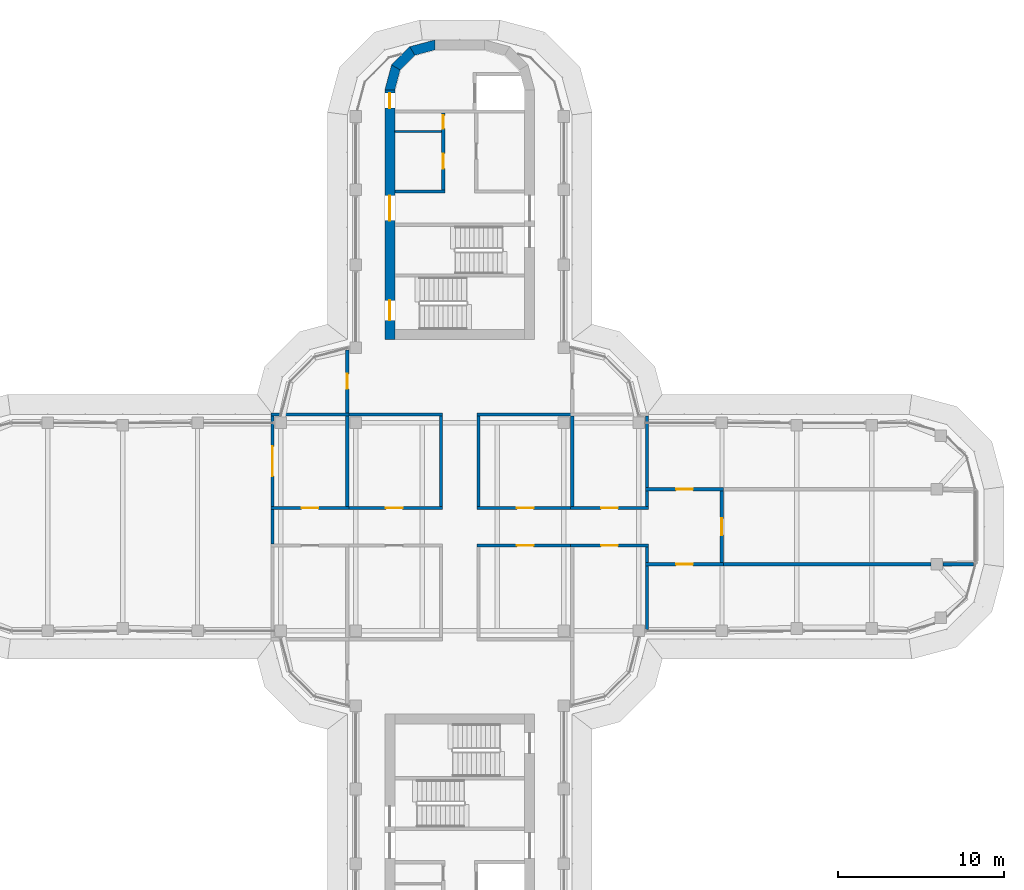
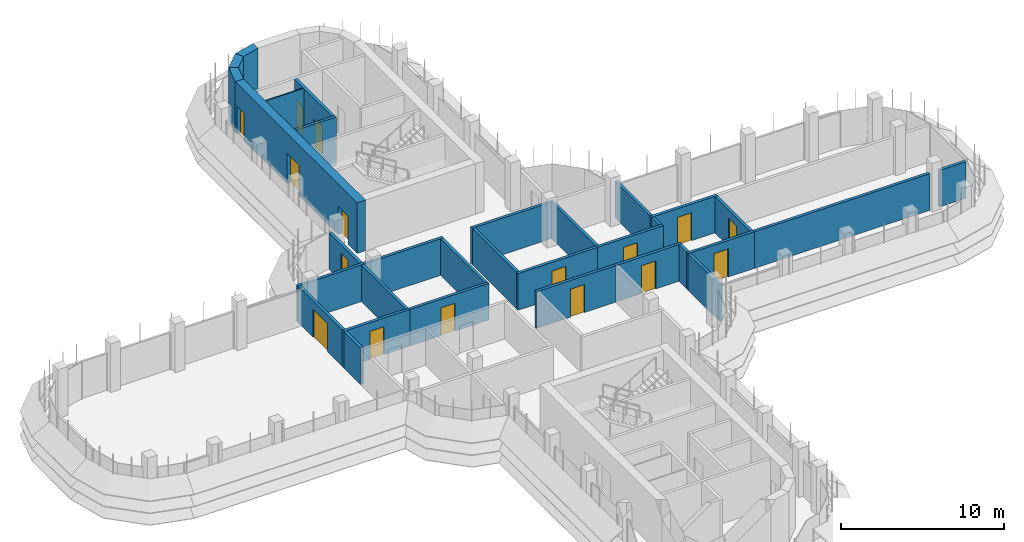
# One storey, part 14 of 19: 32 walls, 16 doors, 16 openings.
"""IFC4 building model written with IfcOpenShell, lengths in metres."""

import ifcopenshell
import ifcopenshell.guid

model = None  # the IFC model being written
_history = None  # IfcOwnerHistory: only IFC2X3 demands one
_inside = {}  # id of a spatial element -> (the spatial element, [elements in it])
_under = {}  # id of a project, library or spatial element -> (it, [spatial elements below it])
_declared = {}  # id of a project -> (the project, [libraries it declares])
_typed = {}  # id of a type object -> (the type object, [elements of that type])
_made_of = {}  # id of a material, layer set ... -> (it, [elements and type objects made of it])


def new_model(schema):
    """Start an empty IFC model of exactly this schema.

    Asked for "IFC4X3", IfcOpenShell would pick the latest addendum, in which some entities
    have other attributes; the version numbers below select the first issue.
    IFC2X3 requires an IfcOwnerHistory on every rooted entity: one is made here for all.
    """
    global model, _history
    if schema == "IFC4X3":
        model = ifcopenshell.file(schema_version=(4, 3, 0, 0))
    else:
        model = ifcopenshell.file(schema=schema)
    _inside.clear()
    _under.clear()
    _declared.clear()
    _typed.clear()
    _made_of.clear()
    _history = None
    if model.schema == "IFC2X3":
        org = make("IfcOrganization", Name="unknown")
        user = make(
            "IfcPersonAndOrganization",
            ThePerson=make("IfcPerson", FamilyName="unknown"),
            TheOrganization=org,
        )
        app = make(
            "IfcApplication",
            ApplicationDeveloper=org,
            Version="unknown",
            ApplicationFullName="unknown",
            ApplicationIdentifier="unknown",
        )
        _history = make(
            "IfcOwnerHistory",
            OwningUser=user,
            OwningApplication=app,
            ChangeAction="ADDED",
            CreationDate=0,
        )
    return model


def make(cls, **values):
    """One entity of the class cls with the attributes given. An attribute that is None is left unset."""
    return model.create_entity(
        cls, **{name: value for name, value in values.items() if value is not None}
    )


def rooted(cls, **values):
    """An entity with a GlobalId (a new one), such as an element, a storey or a relation."""
    return make(cls, GlobalId=ifcopenshell.guid.new(), OwnerHistory=_history, **values)


def si_unit(unit_type, name, prefix=None):
    """IfcSIUnit, for example si_unit("LENGTHUNIT", "METRE", prefix="MILLI")."""
    return make("IfcSIUnit", UnitType=unit_type, Prefix=prefix, Name=name)


def assignment(units):
    """IfcUnitAssignment: the units of a project."""
    return None if units is None else make("IfcUnitAssignment", Units=units)


def point(xyz):
    """IfcCartesianPoint."""
    return None if xyz is None else make("IfcCartesianPoint", Coordinates=xyz)


def direction(xyz):
    """IfcDirection."""
    return None if xyz is None else make("IfcDirection", DirectionRatios=xyz)


def frame(location, z_axis=None, x_axis=None):
    """IfcAxis2Placement3D, a coordinate frame: its origin and axes. An axis left out is left unset."""
    return make(
        "IfcAxis2Placement3D",
        Location=point(location),
        Axis=direction(z_axis),
        RefDirection=direction(x_axis),
    )


def frame_2d(location, x_axis=None):
    """IfcAxis2Placement2D, a coordinate frame in the plane: its origin and x axis."""
    return make(
        "IfcAxis2Placement2D", Location=point(location), RefDirection=direction(x_axis)
    )


def origin():
    """The frame at (0, 0, 0) with its axes left unset."""
    return frame((0.0, 0.0, 0.0))


def place(relative_to, where):
    """IfcLocalPlacement: puts the frame where relative to a parent placement (None: the world)."""
    return make(
        "IfcLocalPlacement", PlacementRelTo=relative_to, RelativePlacement=where
    )


def context(
    kind, dimensions, precision=None, world=None, true_north=None, identifier=None
):
    """IfcGeometricRepresentationContext, for example the 3D "Model" context."""
    return make(
        "IfcGeometricRepresentationContext",
        ContextIdentifier=identifier,
        ContextType=kind,
        CoordinateSpaceDimension=dimensions,
        Precision=precision,
        WorldCoordinateSystem=world,
        TrueNorth=true_north,
    )


def subcontext(parent, identifier, kind, view, scale=None):
    """IfcGeometricRepresentationSubContext, for example "Body" below "Model"."""
    return make(
        "IfcGeometricRepresentationSubContext",
        ContextIdentifier=identifier,
        ContextType=kind,
        ParentContext=parent,
        TargetScale=scale,
        TargetView=view,
    )


def project(units=None, contexts=None):
    """IfcProject with its units and contexts."""
    return rooted(
        "IfcProject",
        Name="project",
        RepresentationContexts=contexts,
        UnitsInContext=assignment(units),
    )


def spatial(cls, under=None, at=None, **own):
    """A site, building, storey or space (cls), placed at a placement, below another one or the project."""
    s = rooted(cls, ObjectPlacement=at, **own)
    if under is not None:
        _under.setdefault(under.id(), (under, []))[1].append(s)
    return s


def polyline(points):
    """IfcPolyline through the points."""
    return make("IfcPolyline", Points=[point(p) for p in points])


def profile(cls, at=None, kind="AREA", **sizes):
    """A parametric profile (cls). Its sizes go by their IFC names, for example OverallWidth=200.0."""
    return make(cls, ProfileType=kind, Position=at, **sizes)


def rectangle(**sizes):
    """IfcRectangleProfileDef."""
    return profile("IfcRectangleProfileDef", **sizes)


def outline(outer, holes=None, kind="AREA"):
    """IfcArbitraryClosedProfileDef: a profile drawn as a closed curve; with holes, ...WithVoids."""
    if holes is None:
        return make("IfcArbitraryClosedProfileDef", ProfileType=kind, OuterCurve=outer)
    return make(
        "IfcArbitraryProfileDefWithVoids",
        ProfileType=kind,
        OuterCurve=outer,
        InnerCurves=holes,
    )


def extrude(swept, where, along, depth):
    """IfcExtrudedAreaSolid: the profile swept, set in the frame where, extruded along a direction by depth."""
    return make(
        "IfcExtrudedAreaSolid",
        SweptArea=swept,
        Position=where,
        ExtrudedDirection=direction(along),
        Depth=depth,
    )


def shape(context_of_items, identifier, shape_type, items):
    """IfcShapeRepresentation: the items that make up one representation, for example the "Body"."""
    return make(
        "IfcShapeRepresentation",
        ContextOfItems=context_of_items,
        RepresentationIdentifier=identifier,
        RepresentationType=shape_type,
        Items=items,
    )


def material(Name=None, Category=None):
    """IfcMaterial."""
    return make("IfcMaterial", Name=Name, Category=Category)


def layer(
    of_material, thickness, ventilated=None, Name=None, Category=None, Priority=None
):
    """IfcMaterialLayer: one layer of a wall or slab, of a material (None: an air gap)."""
    return make(
        "IfcMaterialLayer",
        Material=of_material,
        LayerThickness=thickness,
        IsVentilated=ventilated,
        Name=Name,
        Category=Category,
        Priority=Priority,
    )


def layer_set(layers, Name=None):
    """IfcMaterialLayerSet."""
    return make("IfcMaterialLayerSet", MaterialLayers=layers, LayerSetName=Name)


def made_of(thing, what):
    """Note that an element or type object is made of a material, layer set ...; save() writes the relation."""
    if what is not None:
        _made_of.setdefault(what.id(), (what, []))[1].append(thing)
    return thing


def type_object(cls, material=None, **own):
    """A type object (cls), such as IfcWallType, which elements share."""
    return made_of(rooted(cls, **own), material)


def element(
    cls,
    number,
    at=None,
    inside=None,
    cuts=None,
    type_object=None,
    material=None,
    context=None,
    identifier="Body",
    shape_type=None,
    held_by="IfcProductDefinitionShape",
    body=None,
    shapes=None,
    **own,
):
    """One element of the class cls, such as IfcWall. Its Tag is "e" and its number.

    at: its placement. inside: the storey or other place that contains it. cuts: it is an
    opening in that element (IfcRelVoidsElement). A single representation is given by context,
    identifier, shape_type and body (its items); several are given by shapes. held_by: the class
    of the entity that holds the representations. save() writes the other relations.
    """
    e = rooted(cls, Tag="e%d" % number, ObjectPlacement=at, **own)
    if body is not None:
        shapes = [shape(context, identifier, shape_type, body)]
    if shapes is not None:
        e.Representation = make(held_by, Representations=shapes)
    if inside is not None:
        _inside.setdefault(inside.id(), (inside, []))[1].append(e)
    if cuts is not None:
        rooted(
            "IfcRelVoidsElement", RelatingBuildingElement=cuts, RelatedOpeningElement=e
        )
    if type_object is not None:
        _typed.setdefault(type_object.id(), (type_object, []))[1].append(e)
    return made_of(e, material)


def fill(opening, filler):
    """IfcRelFillsElement: the door or window that sits in an opening."""
    return rooted(
        "IfcRelFillsElement",
        RelatingOpeningElement=opening,
        RelatedBuildingElement=filler,
    )


def aggregate(whole, parts):
    """IfcRelAggregates: a whole, such as a stair, and the parts it consists of."""
    return rooted("IfcRelAggregates", RelatingObject=whole, RelatedObjects=parts)


def save(model, path):
    """Write the relations noted so far, then the file.

    IfcRelAggregates (storeys below a building ...), IfcRelContainedInSpatialStructure (elements
    in a storey), IfcRelDefinesByType, IfcRelAssociatesMaterial and IfcRelDeclares: one each for
    every whole, place, type object, material and project.
    """
    for whole, parts in _under.values():
        aggregate(whole, parts)
    for where, things in _inside.values():
        rooted(
            "IfcRelContainedInSpatialStructure",
            RelatedElements=things,
            RelatingStructure=where,
        )
    for kind, things in _typed.values():
        rooted("IfcRelDefinesByType", RelatedObjects=things, RelatingType=kind)
    for what, things in _made_of.values():
        rooted("IfcRelAssociatesMaterial", RelatedObjects=things, RelatingMaterial=what)
    for by, libraries in _declared.values():
        rooted("IfcRelDeclares", RelatingContext=by, RelatedDefinitions=libraries)
    model.write(path)


model = new_model("IFC4")

# Units and contexts
model_context = context("Model", 3, precision=1e-05, world=origin(), true_north=direction((0.0, 1.0)))
body_context = subcontext(model_context, "Body", "Model", "MODEL_VIEW")
ifc_project = project(units=[si_unit("LENGTHUNIT", "METRE"), si_unit("AREAUNIT", "SQUARE_METRE"), si_unit("VOLUMEUNIT", "CUBIC_METRE"), si_unit("PLANEANGLEUNIT", "RADIAN"), si_unit("MASSUNIT", "GRAM", prefix="KILO")], contexts=[model_context])

# Site, building, storey
site_placement = place(None, origin())
site = spatial("IfcSite", under=ifc_project, at=site_placement, CompositionType="ELEMENT")
building_placement = place(site_placement, origin())
building = spatial("IfcBuilding", under=site, at=building_placement, Name="Zarbagh Exchange Tower", CompositionType="ELEMENT")
storey_placement = place(building_placement, frame((0.0, 0.0, 233.39990234375)))
storey = spatial("IfcBuildingStorey", under=building, at=storey_placement, Name="L57", CompositionType="ELEMENT", Elevation=233.39990234375)

# Wall
ifc_material_1 = material(Name="Dense blockwork", Category="masonry")
ifc_layer_1 = layer(ifc_material_1, 0.10009765625)
ifc_layer_set_1 = layer_set([ifc_layer_1], Name="Core partition 100 mm blockwork")
wall_type_1 = type_object("IfcWallType", Name="Core partition 100 mm blockwork", PredefinedType="PARTITIONING", material=ifc_layer_set_1)
wall_1_placement = place(storey_placement, frame((-3.89990234375, 23.75, 0.0), z_axis=(0.0, 0.0, 1.0), x_axis=(1.0, 0.0, 0.0)))
element("IfcWall", 1, at=wall_1_placement, inside=storey, type_object=wall_type_1, Name="North core partition wall CUT-W-460", PredefinedType="PARTITIONING", context=body_context, shape_type="SweptSolid", body=[
    extrude(rectangle(XDim=2.7998046875, YDim=0.10009765625, at=frame_2d((1.39990234375, 0.0))), origin(), (0.0, 0.0, 1.0), 3.650146484375),
])

# Wall, opening, door
ifc_material_2 = material(Name="Fire-rated plasterboard partition")
ifc_layer_2 = layer(ifc_material_2, 0.199951171875)
ifc_layer_set_2 = layer_set([ifc_layer_2], Name="RATED PARTITION 200")
wall_type_2 = type_object("IfcWallType", Name="RATED PARTITION 200", PredefinedType="PARTITIONING", material=ifc_layer_set_2)
wall_2_placement = place(storey_placement, frame((1.02490234375, 1.125, 0.0), z_axis=(0.0, 0.0, 1.0), x_axis=(1.0, 0.0, 0.0)))
wall_2 = element("IfcWall", 2, at=wall_2_placement, inside=storey, type_object=wall_type_2, Name="Partition W-2501", PredefinedType="PARTITIONING", context=body_context, shape_type="SweptSolid", body=[
    extrude(rectangle(XDim=5.8251953125, YDim=0.199951171875, at=frame_2d((2.91259765625, 0.0))), origin(), (0.0, 0.0, 1.0), 2.745849609375),
])
opening_1_placement = place(wall_2_placement, frame((2.41259765625, 0.0, 0.0)))
opening_1 = element("IfcOpeningElement", 3, at=opening_1_placement, cuts=wall_2, Name="Opening D-2504", PredefinedType="OPENING", context=body_context, shape_type="SweptSolid", body=[
    extrude(rectangle(XDim=1.0, YDim=2.10009765625, at=frame_2d((0.5, 1.050048828125))), frame((0.0, 0.10986328125, 0.0), z_axis=(0.0, -1.0, 0.0), x_axis=(1.0, 0.0, 0.0)), (0.0, 0.0, 1.0), 0.219970703125),
])
ifc_material_3 = material(Name="Steel door set", Category="steel")
door_type_1 = type_object("IfcDoorType", Name="FIRE DOOR 1000 X 2100 FD30S", OperationType="NOTDEFINED", PredefinedType="DOOR", material=ifc_material_3)
door_1_placement = place(opening_1_placement, origin())
door_1 = element("IfcDoor", 4, at=door_1_placement, inside=storey, type_object=door_type_1, Name="Door D-2504", OperationType="SINGLE_SWING_RIGHT", OverallHeight=2.10009765625, OverallWidth=1.0, PredefinedType="DOOR", context=body_context, shape_type="SweptSolid", body=[
    extrude(rectangle(XDim=1.0, YDim=2.10009765625, at=frame_2d((0.5, 1.050048828125))), frame((0.0, 0.02490234375, 0.0), z_axis=(0.0, -1.0, 0.0), x_axis=(1.0, 0.0, 0.0)), (0.0, 0.0, 1.0), 0.050048828125),
])
fill(opening_1, door_1)

wall_3_placement = place(storey_placement, frame((6.64990234375, 1.125, 0.0), z_axis=(0.0, 0.0, 1.0), x_axis=(1.0, 0.0, 0.0)))
wall_3 = element("IfcWall", 5, at=wall_3_placement, inside=storey, type_object=wall_type_2, Name="Partition W-2502", PredefinedType="PARTITIONING", context=body_context, shape_type="SweptSolid", body=[
    extrude(rectangle(XDim=4.7001953125, YDim=0.199951171875, at=frame_2d((2.35009765625, 0.0))), origin(), (0.0, 0.0, 1.0), 2.745849609375),
])
opening_2_placement = place(wall_3_placement, frame((1.85009765625, 0.0, 0.0)))
opening_2 = element("IfcOpeningElement", 6, at=opening_2_placement, cuts=wall_3, Name="Opening D-2505", PredefinedType="OPENING", context=body_context, shape_type="SweptSolid", body=[
    extrude(rectangle(XDim=1.0, YDim=2.10009765625, at=frame_2d((0.5, 1.050048828125))), frame((0.0, 0.10986328125, 0.0), z_axis=(0.0, -1.0, 0.0), x_axis=(1.0, 0.0, 0.0)), (0.0, 0.0, 1.0), 0.219970703125),
])
door_2_placement = place(opening_2_placement, origin())
door_2 = element("IfcDoor", 7, at=door_2_placement, inside=storey, type_object=door_type_1, Name="Door D-2505", OperationType="SINGLE_SWING_RIGHT", OverallHeight=2.10009765625, OverallWidth=1.0, PredefinedType="DOOR", context=body_context, shape_type="SweptSolid", body=[
    extrude(rectangle(XDim=1.0, YDim=2.10009765625, at=frame_2d((0.5, 1.050048828125))), frame((0.0, 0.02490234375, 0.0), z_axis=(0.0, -1.0, 0.0), x_axis=(1.0, 0.0, 0.0)), (0.0, 0.0, 1.0), 0.050048828125),
])
fill(opening_2, door_2)

wall_4_placement = place(storey_placement, frame((-6.85009765625, 1.125, 0.0), z_axis=(0.0, 0.0, 1.0), x_axis=(1.0, 0.0, 0.0)))
wall_4 = element("IfcWall", 8, at=wall_4_placement, inside=storey, type_object=wall_type_2, Name="Partition W-2503", PredefinedType="PARTITIONING", context=body_context, shape_type="SweptSolid", body=[
    extrude(rectangle(XDim=5.8251953125, YDim=0.199951171875, at=frame_2d((2.91259765625, 0.0))), origin(), (0.0, 0.0, 1.0), 2.745849609375),
])
opening_3_placement = place(wall_4_placement, frame((2.41259765625, 0.0, 0.0)))
opening_3 = element("IfcOpeningElement", 9, at=opening_3_placement, cuts=wall_4, Name="Opening D-2507", PredefinedType="OPENING", context=body_context, shape_type="SweptSolid", body=[
    extrude(rectangle(XDim=1.0, YDim=2.10009765625, at=frame_2d((0.5, 1.050048828125))), frame((0.0, 0.10986328125, 0.0), z_axis=(0.0, -1.0, 0.0), x_axis=(1.0, 0.0, 0.0)), (0.0, 0.0, 1.0), 0.219970703125),
])
door_3_placement = place(opening_3_placement, origin())
door_3 = element("IfcDoor", 10, at=door_3_placement, inside=storey, type_object=door_type_1, Name="Door D-2507", OperationType="SINGLE_SWING_RIGHT", OverallHeight=2.10009765625, OverallWidth=1.0, PredefinedType="DOOR", context=body_context, shape_type="SweptSolid", body=[
    extrude(rectangle(XDim=1.0, YDim=2.10009765625, at=frame_2d((0.5, 1.050048828125))), frame((0.0, 0.02490234375, 0.0), z_axis=(0.0, -1.0, 0.0), x_axis=(1.0, 0.0, 0.0)), (0.0, 0.0, 1.0), 0.050048828125),
])
fill(opening_3, door_3)

wall_5_placement = place(storey_placement, frame((-11.35009765625, 1.125, 0.0), z_axis=(0.0, 0.0, 1.0), x_axis=(1.0, 0.0, 0.0)))
wall_5 = element("IfcWall", 11, at=wall_5_placement, inside=storey, type_object=wall_type_2, Name="Partition W-2504", PredefinedType="PARTITIONING", context=body_context, shape_type="SweptSolid", body=[
    extrude(rectangle(XDim=4.7001953125, YDim=0.199951171875, at=frame_2d((2.35009765625, 0.0))), origin(), (0.0, 0.0, 1.0), 2.745849609375),
])
opening_4_placement = place(wall_5_placement, frame((1.85009765625, 0.0, 0.0)))
opening_4 = element("IfcOpeningElement", 12, at=opening_4_placement, cuts=wall_5, Name="Opening D-2508", PredefinedType="OPENING", context=body_context, shape_type="SweptSolid", body=[
    extrude(rectangle(XDim=1.0, YDim=2.10009765625, at=frame_2d((0.5, 1.050048828125))), frame((0.0, 0.10986328125, 0.0), z_axis=(0.0, -1.0, 0.0), x_axis=(1.0, 0.0, 0.0)), (0.0, 0.0, 1.0), 0.219970703125),
])
door_4_placement = place(opening_4_placement, origin())
door_4 = element("IfcDoor", 13, at=door_4_placement, inside=storey, type_object=door_type_1, Name="Door D-2508", OperationType="SINGLE_SWING_RIGHT", OverallHeight=2.10009765625, OverallWidth=1.0, PredefinedType="DOOR", context=body_context, shape_type="SweptSolid", body=[
    extrude(rectangle(XDim=1.0, YDim=2.10009765625, at=frame_2d((0.5, 1.050048828125))), frame((0.0, 0.02490234375, 0.0), z_axis=(0.0, -1.0, 0.0), x_axis=(1.0, 0.0, 0.0)), (0.0, 0.0, 1.0), 0.050048828125),
])
fill(opening_4, door_4)

wall_6_placement = place(storey_placement, frame((6.85009765625, -1.125, 0.0), z_axis=(0.0, 0.0, 1.0), x_axis=(-1.0, 0.0, 0.0)))
wall_6 = element("IfcWall", 14, at=wall_6_placement, inside=storey, type_object=wall_type_2, Name="Partition W-2505", PredefinedType="PARTITIONING", context=body_context, shape_type="SweptSolid", body=[
    extrude(rectangle(XDim=5.8251953125, YDim=0.199951171875, at=frame_2d((2.91259765625, 0.0))), origin(), (0.0, 0.0, 1.0), 2.745849609375),
])
opening_5_placement = place(wall_6_placement, frame((2.41259765625, 0.0, 0.0)))
opening_5 = element("IfcOpeningElement", 15, at=opening_5_placement, cuts=wall_6, Name="Opening D-2510", PredefinedType="OPENING", context=body_context, shape_type="SweptSolid", body=[
    extrude(rectangle(XDim=1.0, YDim=2.10009765625, at=frame_2d((0.5, 1.050048828125))), frame((0.0, 0.10986328125, 0.0), z_axis=(0.0, -1.0, 0.0), x_axis=(1.0, 0.0, 0.0)), (0.0, 0.0, 1.0), 0.219970703125),
])
door_5_placement = place(opening_5_placement, origin())
door_5 = element("IfcDoor", 16, at=door_5_placement, inside=storey, type_object=door_type_1, Name="Door D-2510", OperationType="SINGLE_SWING_RIGHT", OverallHeight=2.10009765625, OverallWidth=1.0, PredefinedType="DOOR", context=body_context, shape_type="SweptSolid", body=[
    extrude(rectangle(XDim=1.0, YDim=2.10009765625, at=frame_2d((0.5, 1.050048828125))), frame((0.0, 0.02490234375, 0.0), z_axis=(0.0, -1.0, 0.0), x_axis=(1.0, 0.0, 0.0)), (0.0, 0.0, 1.0), 0.050048828125),
])
fill(opening_5, door_5)

wall_7_placement = place(storey_placement, frame((11.35009765625, -1.125, 0.0), z_axis=(0.0, 0.0, 1.0), x_axis=(-1.0, 0.0, 0.0)))
wall_7 = element("IfcWall", 17, at=wall_7_placement, inside=storey, type_object=wall_type_2, Name="Partition W-2506", PredefinedType="PARTITIONING", context=body_context, shape_type="SweptSolid", body=[
    extrude(rectangle(XDim=4.7001953125, YDim=0.199951171875, at=frame_2d((2.35009765625, 0.0))), origin(), (0.0, 0.0, 1.0), 2.745849609375),
])
opening_6_placement = place(wall_7_placement, frame((1.85009765625, 0.0, 0.0)))
opening_6 = element("IfcOpeningElement", 18, at=opening_6_placement, cuts=wall_7, Name="Opening D-2511", PredefinedType="OPENING", context=body_context, shape_type="SweptSolid", body=[
    extrude(rectangle(XDim=1.0, YDim=2.10009765625, at=frame_2d((0.5, 1.050048828125))), frame((0.0, 0.10986328125, 0.0), z_axis=(0.0, -1.0, 0.0), x_axis=(1.0, 0.0, 0.0)), (0.0, 0.0, 1.0), 0.219970703125),
])
door_6_placement = place(opening_6_placement, origin())
door_6 = element("IfcDoor", 19, at=door_6_placement, inside=storey, type_object=door_type_1, Name="Door D-2511", OperationType="SINGLE_SWING_RIGHT", OverallHeight=2.10009765625, OverallWidth=1.0, PredefinedType="DOOR", context=body_context, shape_type="SweptSolid", body=[
    extrude(rectangle(XDim=1.0, YDim=2.10009765625, at=frame_2d((0.5, 1.050048828125))), frame((0.0, 0.02490234375, 0.0), z_axis=(0.0, -1.0, 0.0), x_axis=(1.0, 0.0, 0.0)), (0.0, 0.0, 1.0), 0.050048828125),
])
fill(opening_6, door_6)

# Walls
wall_8_placement = place(storey_placement, frame((-11.25, -1.02490234375, 0.0), z_axis=(0.0, 0.0, 1.0), x_axis=(0.0, 1.0, 0.0)))
element("IfcWall", 20, at=wall_8_placement, inside=storey, type_object=wall_type_2, Name="Partition W-2509", PredefinedType="PARTITIONING", context=body_context, shape_type="SweptSolid", body=[
    extrude(rectangle(XDim=2.0498046875, YDim=0.199951171875, at=frame_2d((1.02490234375, 0.0))), origin(), (0.0, 0.0, 1.0), 2.745849609375),
])
for number, where, z_axis, x_axis, name in (
    (21, (1.125, 1.22509765625, 0.0), (0.0, 0.0, 1.0), (0.0, 1.0, 0.0), "Partition W-2510"),
    (22, (-1.125, 1.22509765625, 0.0), (0.0, 0.0, 1.0), (0.0, 1.0, 0.0), "Partition W-2511"),
):
    element("IfcWall", number, at=place(storey_placement, frame(where, z_axis=z_axis, x_axis=x_axis)), inside=storey, type_object=wall_type_2, Name=name, PredefinedType="PARTITIONING", context=body_context, shape_type="SweptSolid", body=[
        extrude(rectangle(XDim=5.4248046875, YDim=0.199951171875, at=frame_2d((2.71240234375, 0.0))), origin(), (0.0, 0.0, 1.0), 2.745849609375),
    ])
for number, where, z_axis, x_axis, name in (
    (23, (1.02490234375, 6.75, 0.0), (0.0, 0.0, 1.0), (1.0, 0.0, 0.0), "Partition W-2514"),
    (24, (-6.85009765625, 6.75, 0.0), (0.0, 0.0, 1.0), (1.0, 0.0, 0.0), "Partition W-2516"),
):
    element("IfcWall", number, at=place(storey_placement, frame(where, z_axis=z_axis, x_axis=x_axis)), inside=storey, type_object=wall_type_2, Name=name, PredefinedType="PARTITIONING", context=body_context, shape_type="SweptSolid", body=[
        extrude(rectangle(XDim=5.8251953125, YDim=0.199951171875, at=frame_2d((2.91259765625, 0.0))), origin(), (0.0, 0.0, 1.0), 2.745849609375),
    ])

# Wall, opening, door
wall_9_placement = place(storey_placement, frame((-6.75, 6.85009765625, 0.0), z_axis=(0.0, 0.0, 1.0), x_axis=(0.0, 1.0, 0.0)))
wall_9 = element("IfcWall", 25, at=wall_9_placement, inside=storey, type_object=wall_type_2, Name="Partition W-2517", PredefinedType="PARTITIONING", context=body_context, shape_type="SweptSolid", body=[
    extrude(rectangle(XDim=3.77978515625, YDim=0.199951171875, at=frame_2d((1.889892578125, 0.0))), origin(), (0.0, 0.0, 1.0), 2.745849609375),
])
opening_7_placement = place(wall_9_placement, frame((1.43994140625, 0.0, 0.0)))
opening_7 = element("IfcOpeningElement", 26, at=opening_7_placement, cuts=wall_9, Name="Opening D-2509", PredefinedType="OPENING", context=body_context, shape_type="SweptSolid", body=[
    extrude(rectangle(XDim=0.89990234375, YDim=2.10009765625, at=frame_2d((0.449951171875, 1.050048828125))), frame((0.0, 0.10986328125, 0.0), z_axis=(0.0, -1.0, 0.0), x_axis=(1.0, 0.0, 0.0)), (0.0, 0.0, 1.0), 0.219970703125),
])
ifc_material_4 = material(Name="Timber door leaf", Category="wood")
door_type_2 = type_object("IfcDoorType", Name="DOOR 900 X 2100", OperationType="NOTDEFINED", PredefinedType="DOOR", material=ifc_material_4)
door_7_placement = place(opening_7_placement, origin())
door_7 = element("IfcDoor", 27, at=door_7_placement, inside=storey, type_object=door_type_2, Name="Door D-2509", OperationType="SINGLE_SWING_LEFT", OverallHeight=2.10009765625, OverallWidth=0.89990234375, PredefinedType="DOOR", context=body_context, shape_type="SweptSolid", body=[
    extrude(rectangle(XDim=0.89990234375, YDim=2.10009765625, at=frame_2d((0.449951171875, 1.050048828125))), frame((0.0, 0.02490234375, 0.0), z_axis=(0.0, -1.0, 0.0), x_axis=(1.0, 0.0, 0.0)), (0.0, 0.0, 1.0), 0.050048828125),
])
fill(opening_7, door_7)

# Walls
wall_10_placement = place(storey_placement, frame((6.75, 1.22509765625, 0.0), z_axis=(0.0, 0.0, 1.0), x_axis=(0.0, 1.0, 0.0)))
element("IfcWall", 28, at=wall_10_placement, inside=storey, type_object=wall_type_2, Name="Partition W-2522", PredefinedType="PARTITIONING", context=body_context, shape_type="SweptSolid", body=[
    extrude(rectangle(XDim=5.4248046875, YDim=0.199951171875, at=frame_2d((2.71240234375, 0.0))), origin(), (0.0, 0.0, 1.0), 2.745849609375),
])
wall_11_placement = place(storey_placement, frame((11.25, 1.22509765625, 0.0), z_axis=(0.0, 0.0, 1.0), x_axis=(0.0, 1.0, 0.0)))
element("IfcWall", 29, at=wall_11_placement, inside=storey, type_object=wall_type_2, Name="Partition W-2524", PredefinedType="PARTITIONING", context=body_context, shape_type="SweptSolid", body=[
    extrude(rectangle(XDim=0.9248046875, YDim=0.199951171875, at=frame_2d((0.46240234375, 0.0))), origin(), (0.0, 0.0, 1.0), 2.745849609375),
])
wall_12_placement = place(storey_placement, frame((11.25, 2.35009765625, 0.0), z_axis=(0.0, 0.0, 1.0), x_axis=(0.0, 1.0, 0.0)))
element("IfcWall", 30, at=wall_12_placement, inside=storey, type_object=wall_type_2, Name="Partition W-2525", PredefinedType="PARTITIONING", context=body_context, shape_type="SweptSolid", body=[
    extrude(rectangle(XDim=4.2998046875, YDim=0.199951171875, at=frame_2d((2.14990234375, 0.0))), origin(), (0.0, 0.0, 1.0), 2.745849609375),
])
wall_13_placement = place(storey_placement, frame((-6.75, 1.22509765625, 0.0), z_axis=(0.0, 0.0, 1.0), x_axis=(0.0, 1.0, 0.0)))
element("IfcWall", 31, at=wall_13_placement, inside=storey, type_object=wall_type_2, Name="Partition W-2526", PredefinedType="PARTITIONING", context=body_context, shape_type="SweptSolid", body=[
    extrude(rectangle(XDim=5.4248046875, YDim=0.199951171875, at=frame_2d((2.71240234375, 0.0))), origin(), (0.0, 0.0, 1.0), 2.745849609375),
])
wall_14_placement = place(storey_placement, frame((-11.35009765625, 6.75, 0.0), z_axis=(0.0, 0.0, 1.0), x_axis=(1.0, 0.0, 0.0)))
element("IfcWall", 32, at=wall_14_placement, inside=storey, type_object=wall_type_2, Name="Partition W-2527", PredefinedType="PARTITIONING", context=body_context, shape_type="SweptSolid", body=[
    extrude(rectangle(XDim=4.7001953125, YDim=0.199951171875, at=frame_2d((2.35009765625, 0.0))), origin(), (0.0, 0.0, 1.0), 2.745849609375),
])

# Wall, opening, door
wall_15_placement = place(storey_placement, frame((-11.25, 1.22509765625, 0.0), z_axis=(0.0, 0.0, 1.0), x_axis=(0.0, 1.0, 0.0)))
wall_15 = element("IfcWall", 33, at=wall_15_placement, inside=storey, type_object=wall_type_2, Name="Partition W-2528", PredefinedType="PARTITIONING", context=body_context, shape_type="SweptSolid", body=[
    extrude(rectangle(XDim=5.4248046875, YDim=0.199951171875, at=frame_2d((2.71240234375, 0.0))), origin(), (0.0, 0.0, 1.0), 2.745849609375),
])
opening_8_placement = place(wall_15_placement, frame((1.8125, 0.0, 0.0)))
opening_8 = element("IfcOpeningElement", 34, at=opening_8_placement, cuts=wall_15, Name="Opening D-2515", PredefinedType="OPENING", context=body_context, shape_type="SweptSolid", body=[
    extrude(rectangle(XDim=1.800048828125, YDim=2.10009765625, at=frame_2d((0.89990234375, 1.050048828125))), frame((0.0, 0.10986328125, 0.0), z_axis=(0.0, -1.0, 0.0), x_axis=(1.0, 0.0, 0.0)), (0.0, 0.0, 1.0), 0.219970703125),
])
door_type_3 = type_object("IfcDoorType", Name="FIRE DOUBLE DOOR 1800 X 2100 FD30S", OperationType="DOUBLE_DOOR_SINGLE_SWING", PredefinedType="DOOR", material=ifc_material_3)
door_8_placement = place(opening_8_placement, origin())
door_8 = element("IfcDoor", 35, at=door_8_placement, inside=storey, type_object=door_type_3, Name="Door D-2515", OperationType="DOUBLE_DOOR_SINGLE_SWING", OverallHeight=2.10009765625, OverallWidth=1.800048828125, PredefinedType="DOOR", context=body_context, shape_type="SweptSolid", body=[
    extrude(rectangle(XDim=1.800048828125, YDim=2.10009765625, at=frame_2d((0.89990234375, 1.050048828125))), frame((0.0, 0.02490234375, 0.0), z_axis=(0.0, -1.0, 0.0), x_axis=(1.0, 0.0, 0.0)), (0.0, 0.0, 1.0), 0.050048828125),
])
fill(opening_8, door_8)

# Walls
wall_16_placement = place(storey_placement, frame((11.25, -2.14990234375, 0.0), z_axis=(0.0, 0.0, 1.0), x_axis=(0.0, 1.0, 0.0)))
element("IfcWall", 36, at=wall_16_placement, inside=storey, type_object=wall_type_2, Name="Partition W-2530", PredefinedType="PARTITIONING", context=body_context, shape_type="SweptSolid", body=[
    extrude(rectangle(XDim=0.9248046875, YDim=0.199951171875, at=frame_2d((0.46240234375, 0.0))), origin(), (0.0, 0.0, 1.0), 2.745849609375),
])
wall_17_placement = place(storey_placement, frame((11.25, -6.169921875, 0.0), z_axis=(0.0, 0.0, 1.0), x_axis=(0.0, 1.0, 0.0)))
element("IfcWall", 37, at=wall_17_placement, inside=storey, type_object=wall_type_2, Name="Partition W-2531", PredefinedType="PARTITIONING", context=body_context, shape_type="SweptSolid", body=[
    extrude(rectangle(XDim=3.81982421875, YDim=0.199951171875, at=frame_2d((1.909912109375, 0.0))), origin(), (0.0, 0.0, 1.0), 2.745849609375),
])

# Wall, opening, door
wall_18_placement = place(storey_placement, frame((11.14990234375, 2.25, 0.0), z_axis=(0.0, 0.0, 1.0), x_axis=(1.0, 0.0, 0.0)))
wall_18 = element("IfcWall", 38, at=wall_18_placement, inside=storey, type_object=wall_type_2, Name="Partition W-2535", PredefinedType="PARTITIONING", context=body_context, shape_type="SweptSolid", body=[
    extrude(rectangle(XDim=4.7001953125, YDim=0.199951171875, at=frame_2d((2.35009765625, 0.0))), origin(), (0.0, 0.0, 1.0), 2.745849609375),
])
opening_9_placement = place(wall_18_placement, frame((1.85009765625, 0.0, 0.0)))
opening_9 = element("IfcOpeningElement", 39, at=opening_9_placement, cuts=wall_18, Name="Opening D-2502", PredefinedType="OPENING", context=body_context, shape_type="SweptSolid", body=[
    extrude(rectangle(XDim=1.0, YDim=2.10009765625, at=frame_2d((0.5, 1.050048828125))), frame((0.0, 0.10986328125, 0.0), z_axis=(0.0, -1.0, 0.0), x_axis=(1.0, 0.0, 0.0)), (0.0, 0.0, 1.0), 0.219970703125),
])
door_9_placement = place(opening_9_placement, origin())
door_9 = element("IfcDoor", 40, at=door_9_placement, inside=storey, type_object=door_type_1, Name="Door D-2502", OperationType="SINGLE_SWING_RIGHT", OverallHeight=2.10009765625, OverallWidth=1.0, PredefinedType="DOOR", context=body_context, shape_type="SweptSolid", body=[
    extrude(rectangle(XDim=1.0, YDim=2.10009765625, at=frame_2d((0.5, 1.050048828125))), frame((0.0, 0.02490234375, 0.0), z_axis=(0.0, -1.0, 0.0), x_axis=(1.0, 0.0, 0.0)), (0.0, 0.0, 1.0), 0.050048828125),
])
fill(opening_9, door_9)

wall_19_placement = place(storey_placement, frame((15.85009765625, -2.25, 0.0), z_axis=(0.0, 0.0, 1.0), x_axis=(-1.0, 0.0, 0.0)))
wall_19 = element("IfcWall", 41, at=wall_19_placement, inside=storey, type_object=wall_type_2, Name="Partition W-2536", PredefinedType="PARTITIONING", context=body_context, shape_type="SweptSolid", body=[
    extrude(rectangle(XDim=4.7001953125, YDim=0.199951171875, at=frame_2d((2.35009765625, 0.0))), origin(), (0.0, 0.0, 1.0), 2.745849609375),
])
opening_10_placement = place(wall_19_placement, frame((1.85009765625, 0.0, 0.0)))
opening_10 = element("IfcOpeningElement", 42, at=opening_10_placement, cuts=wall_19, Name="Opening D-2503", PredefinedType="OPENING", context=body_context, shape_type="SweptSolid", body=[
    extrude(rectangle(XDim=1.0, YDim=2.10009765625, at=frame_2d((0.5, 1.050048828125))), frame((0.0, 0.10986328125, 0.0), z_axis=(0.0, -1.0, 0.0), x_axis=(1.0, 0.0, 0.0)), (0.0, 0.0, 1.0), 0.219970703125),
])
door_10_placement = place(opening_10_placement, origin())
door_10 = element("IfcDoor", 43, at=door_10_placement, inside=storey, type_object=door_type_1, Name="Door D-2503", OperationType="SINGLE_SWING_RIGHT", OverallHeight=2.10009765625, OverallWidth=1.0, PredefinedType="DOOR", context=body_context, shape_type="SweptSolid", body=[
    extrude(rectangle(XDim=1.0, YDim=2.10009765625, at=frame_2d((0.5, 1.050048828125))), frame((0.0, 0.02490234375, 0.0), z_axis=(0.0, -1.0, 0.0), x_axis=(1.0, 0.0, 0.0)), (0.0, 0.0, 1.0), 0.050048828125),
])
fill(opening_10, door_10)

wall_20_placement = place(storey_placement, frame((15.75, 2.14990234375, 0.0), z_axis=(0.0, 0.0, 1.0), x_axis=(0.0, -1.0, 0.0)))
wall_20 = element("IfcWall", 44, at=wall_20_placement, inside=storey, type_object=wall_type_2, Name="Partition W-2537", PredefinedType="PARTITIONING", context=body_context, shape_type="SweptSolid", body=[
    extrude(rectangle(XDim=4.2998046875, YDim=0.199951171875, at=frame_2d((2.14990234375, 0.0))), origin(), (0.0, 0.0, 1.0), 2.745849609375),
])
opening_11_placement = place(wall_20_placement, frame((1.64990234375, 0.0, 0.0)))
opening_11 = element("IfcOpeningElement", 45, at=opening_11_placement, cuts=wall_20, Name="Opening D-2501", PredefinedType="OPENING", context=body_context, shape_type="SweptSolid", body=[
    extrude(rectangle(XDim=1.0, YDim=2.10009765625, at=frame_2d((0.5, 1.050048828125))), frame((0.0, 0.10986328125, 0.0), z_axis=(0.0, -1.0, 0.0), x_axis=(1.0, 0.0, 0.0)), (0.0, 0.0, 1.0), 0.219970703125),
])
door_11_placement = place(opening_11_placement, origin())
door_11 = element("IfcDoor", 46, at=door_11_placement, inside=storey, type_object=door_type_1, Name="Door D-2501", OperationType="SINGLE_SWING_RIGHT", OverallHeight=2.10009765625, OverallWidth=1.0, PredefinedType="DOOR", context=body_context, shape_type="SweptSolid", body=[
    extrude(rectangle(XDim=1.0, YDim=2.10009765625, at=frame_2d((0.5, 1.050048828125))), frame((0.0, 0.02490234375, 0.0), z_axis=(0.0, -1.0, 0.0), x_axis=(1.0, 0.0, 0.0)), (0.0, 0.0, 1.0), 0.050048828125),
])
fill(opening_11, door_11)

# Walls
wall_21_placement = place(storey_placement, frame((15.64990234375, -2.25, 0.0), z_axis=(0.0, 0.0, 1.0), x_axis=(1.0, 0.0, 0.0)))
element("IfcWall", 47, at=wall_21_placement, inside=storey, type_object=wall_type_2, Name="Partition W-2540", PredefinedType="PARTITIONING", context=body_context, shape_type="SweptSolid", body=[
    extrude(rectangle(XDim=12.670166015625, YDim=0.199951171875, at=frame_2d((6.3349609375, 0.0))), origin(), (0.0, 0.0, 1.0), 2.745849609375),
])
wall_22_placement = place(storey_placement, frame((29.02001953125, -2.25, 0.0), z_axis=(0.0, 0.0, 1.0), x_axis=(1.0, 0.0, 0.0)))
element("IfcWall", 48, at=wall_22_placement, inside=storey, type_object=wall_type_2, Name="Partition W-2541", PredefinedType="PARTITIONING", context=body_context, shape_type="SweptSolid", body=[
    extrude(rectangle(XDim=1.85986328125, YDim=0.199951171875, at=frame_2d((0.929931640625, 0.0))), origin(), (0.0, 0.0, 1.0), 2.745849609375),
])
ifc_material_5 = material(Name="Concrete C50/60", Category="concrete")
ifc_layer_3 = layer(ifc_material_5, 0.60009765625)
ifc_layer_set_3 = layer_set([ifc_layer_3], Name="RC core corner wall 600 C50/60")
wall_type_3 = type_object("IfcWallType", Name="RC core corner wall 600 C50/60", PredefinedType="SHEAR", material=ifc_layer_set_3)
wall_23_placement = place(storey_placement, origin())
element("IfcWall", 49, at=wall_23_placement, inside=storey, type_object=wall_type_3, Name="CW8 core N corner W", PredefinedType="SHEAR", context=body_context, shape_type="SweptSolid", body=[
    extrude(outline(polyline([(-4.5, 26.25), (-4.09814453125, 27.75), (-3.57861328125, 27.449951171875), (-3.89990234375, 26.25), (-4.5, 26.25)])), origin(), (0.0, 0.0, 1.0), 3.800048828125),
])
wall_24_placement = place(storey_placement, origin())
element("IfcWall", 50, at=wall_24_placement, inside=storey, type_object=wall_type_3, Name="CW8 core N corner W", PredefinedType="SHEAR", context=body_context, shape_type="SweptSolid", body=[
    extrude(outline(polyline([(-4.09814453125, 27.75), (-3.0, 28.84814453125), (-2.699951171875, 28.32861328125), (-3.57861328125, 27.449951171875), (-4.09814453125, 27.75)])), origin(), (0.0, 0.0, 1.0), 3.800048828125),
])
wall_25_placement = place(storey_placement, origin())
element("IfcWall", 51, at=wall_25_placement, inside=storey, type_object=wall_type_3, Name="CW8 core N corner W", PredefinedType="SHEAR", context=body_context, shape_type="SweptSolid", body=[
    extrude(outline(polyline([(-3.0, 28.84814453125), (-1.5, 29.25), (-1.5, 28.64990234375), (-2.699951171875, 28.32861328125), (-3.0, 28.84814453125)])), origin(), (0.0, 0.0, 1.0), 3.800048828125),
])

# Wall, openings, doors
ifc_layer_4 = layer(ifc_material_5, 0.60009765625)
ifc_layer_set_4 = layer_set([ifc_layer_4], Name="RC core wall 600 C50/60")
wall_type_4 = type_object("IfcWallType", Name="RC core wall 600 C50/60", PredefinedType="SHEAR", material=ifc_layer_set_4)
wall_26_placement = place(storey_placement, frame((-4.199951171875, 11.25, 0.0), z_axis=(0.0, 0.0, 1.0), x_axis=(0.0, 1.0, 0.0)))
wall_26 = element("IfcWall", 52, at=wall_26_placement, inside=storey, type_object=wall_type_4, Name="CW7 core N W", PredefinedType="SHEAR", context=body_context, shape_type="SweptSolid", body=[
    extrude(rectangle(XDim=15.0, YDim=0.60009765625, at=frame_2d((7.5, 0.0))), origin(), (0.0, 0.0, 1.0), 3.800048828125),
])
opening_12_placement = place(wall_26_placement, frame((7.14990234375, 0.0, 0.0)))
opening_12 = element("IfcOpeningElement", 53, at=opening_12_placement, cuts=wall_26, Name="Opening CD1-1500", PredefinedType="OPENING", context=body_context, shape_type="SweptSolid", body=[
    extrude(rectangle(XDim=1.5, YDim=2.300048828125, at=frame_2d((0.75, 1.14990234375))), frame((0.0, 0.31005859375, 0.0), z_axis=(0.0, -1.0, 0.0), x_axis=(1.0, 0.0, 0.0)), (0.0, 0.0, 1.0), 0.6201171875),
])
opening_13_placement = place(wall_26_placement, frame((13.89990234375, 0.0, 0.0)))
opening_13 = element("IfcOpeningElement", 54, at=opening_13_placement, cuts=wall_26, Name="Opening CD2-900", PredefinedType="OPENING", context=body_context, shape_type="SweptSolid", body=[
    extrude(rectangle(XDim=0.89990234375, YDim=2.10009765625, at=frame_2d((0.449951171875, 1.050048828125))), frame((0.0, 0.31005859375, 0.0), z_axis=(0.0, -1.0, 0.0), x_axis=(1.0, 0.0, 0.0)), (0.0, 0.0, 1.0), 0.6201171875),
])
opening_14_placement = place(wall_26_placement, frame((1.14990234375, 0.0, 0.0)))
opening_14 = element("IfcOpeningElement", 55, at=opening_14_placement, cuts=wall_26, Name="Opening SD1-1200", PredefinedType="OPENING", context=body_context, shape_type="SweptSolid", body=[
    extrude(rectangle(XDim=1.199951171875, YDim=2.10009765625, at=frame_2d((0.60009765625, 1.050048828125))), frame((0.0, 0.31005859375, 0.0), z_axis=(0.0, -1.0, 0.0), x_axis=(1.0, 0.0, 0.0)), (0.0, 0.0, 1.0), 0.6201171875),
])
ifc_material_6 = material(Name="Steel", Category="steel")
door_type_4 = type_object("IfcDoorType", Name="Exit stair door 1200 x 2100", OperationType="NOTDEFINED", PredefinedType="DOOR", material=ifc_material_6)
door_12_placement = place(opening_14_placement, origin())
door_12 = element("IfcDoor", 56, at=door_12_placement, inside=storey, type_object=door_type_4, Name="North core stair door ST2", OperationType="SINGLE_SWING_LEFT", OverallHeight=2.10009765625, OverallWidth=1.199951171875, PredefinedType="DOOR", context=body_context, shape_type="SweptSolid", body=[
    extrude(rectangle(XDim=1.199951171875, YDim=2.10009765625, at=frame_2d((0.60009765625, 1.050048828125))), frame((0.0, 0.02490234375, 0.0), z_axis=(0.0, -1.0, 0.0), x_axis=(1.0, 0.0, 0.0)), (0.0, 0.0, 1.0), 0.050048828125),
])
fill(opening_14, door_12)
door_type_5 = type_object("IfcDoorType", Name="Firefighting lobby door 900 x 2100", OperationType="NOTDEFINED", PredefinedType="DOOR", material=ifc_material_6)
door_13_placement = place(opening_13_placement, origin())
door_13 = element("IfcDoor", 57, at=door_13_placement, inside=storey, type_object=door_type_5, Name="North core firefighting lobby door FF-W", OperationType="SINGLE_SWING_RIGHT", OverallHeight=2.10009765625, OverallWidth=0.89990234375, PredefinedType="DOOR", context=body_context, shape_type="SweptSolid", body=[
    extrude(rectangle(XDim=0.89990234375, YDim=2.10009765625, at=frame_2d((0.449951171875, 1.050048828125))), frame((0.0, 0.02490234375, 0.0), z_axis=(0.0, -1.0, 0.0), x_axis=(1.0, 0.0, 0.0)), (0.0, 0.0, 1.0), 0.050048828125),
])
fill(opening_13, door_13)
door_type_6 = type_object("IfcDoorType", Name="Lift lobby double door 1500 x 2300", OperationType="NOTDEFINED", PredefinedType="DOOR", material=ifc_material_6)
door_14_placement = place(opening_12_placement, origin())
door_14 = element("IfcDoor", 58, at=door_14_placement, inside=storey, type_object=door_type_6, Name="North core lift lobby door LOBBY-W", OperationType="DOUBLE_DOOR_SINGLE_SWING", OverallHeight=2.300048828125, OverallWidth=1.5, PredefinedType="DOOR", context=body_context, shape_type="SweptSolid", body=[
    extrude(rectangle(XDim=1.5, YDim=2.300048828125, at=frame_2d((0.75, 1.14990234375))), frame((0.0, 0.02490234375, 0.0), z_axis=(0.0, -1.0, 0.0), x_axis=(1.0, 0.0, 0.0)), (0.0, 0.0, 1.0), 0.050048828125),
])
fill(opening_12, door_14)

# Wall
ifc_layer_5 = layer(ifc_material_1, 0.199951171875)
ifc_layer_set_5 = layer_set([ifc_layer_5], Name="Shaft wall 200 mm blockwork")
wall_type_5 = type_object("IfcWallType", Name="Shaft wall 200 mm blockwork", PredefinedType="PARTITIONING", material=ifc_layer_set_5)
wall_27_placement = place(storey_placement, frame((-3.89990234375, 20.14990234375, 0.0), z_axis=(0.0, 0.0, 1.0), x_axis=(1.0, 0.0, 0.0)))
element("IfcWall", 59, at=wall_27_placement, inside=storey, type_object=wall_type_5, Name="North core shaft wall AB-W", PredefinedType="PARTITIONING", context=body_context, shape_type="SweptSolid", body=[
    extrude(rectangle(XDim=3.0, YDim=0.199951171875, at=frame_2d((1.5, 0.0))), origin(), (0.0, 0.0, 1.0), 3.650146484375),
])

# Wall, openings, doors
wall_28_placement = place(storey_placement, frame((-1.0, 24.85009765625, 0.0), z_axis=(0.0, 0.0, 1.0), x_axis=(0.0, -1.0, 0.0)))
wall_28 = element("IfcWall", 60, at=wall_28_placement, inside=storey, type_object=wall_type_5, Name="North core shaft wall LW-W", PredefinedType="PARTITIONING", context=body_context, shape_type="SweptSolid", body=[
    extrude(rectangle(XDim=4.60009765625, YDim=0.199951171875, at=frame_2d((2.300048828125, 0.0))), origin(), (0.0, 0.0, 1.0), 3.650146484375),
])
opening_15_placement = place(wall_28_placement, frame((0.125, 0.0, 0.0)))
opening_15 = element("IfcOpeningElement", 61, at=opening_15_placement, cuts=wall_28, Name="Opening CD3-800", PredefinedType="OPENING", context=body_context, shape_type="SweptSolid", body=[
    extrude(rectangle(XDim=0.800048828125, YDim=2.10009765625, at=frame_2d((0.39990234375, 1.050048828125))), frame((0.0, 0.10986328125, 0.0), z_axis=(0.0, -1.0, 0.0), x_axis=(1.0, 0.0, 0.0)), (0.0, 0.0, 1.0), 0.219970703125),
])
opening_16_placement = place(wall_28_placement, frame((2.425048828125, 0.0, 0.0)))
opening_16 = element("IfcOpeningElement", 62, at=opening_16_placement, cuts=wall_28, Name="Opening CD3-900", PredefinedType="OPENING", context=body_context, shape_type="SweptSolid", body=[
    extrude(rectangle(XDim=0.89990234375, YDim=2.10009765625, at=frame_2d((0.449951171875, 1.050048828125))), frame((0.0, 0.10986328125, 0.0), z_axis=(0.0, -1.0, 0.0), x_axis=(1.0, 0.0, 0.0)), (0.0, 0.0, 1.0), 0.219970703125),
])
door_type_7 = type_object("IfcDoorType", Name="Core room door 800 x 2100", OperationType="NOTDEFINED", PredefinedType="DOOR", material=ifc_material_6)
door_15_placement = place(opening_15_placement, origin())
door_15 = element("IfcDoor", 63, at=door_15_placement, inside=storey, type_object=door_type_7, Name="North core Store door RD-W-0", OperationType="SINGLE_SWING_LEFT", OverallHeight=2.10009765625, OverallWidth=0.800048828125, PredefinedType="DOOR", context=body_context, shape_type="SweptSolid", body=[
    extrude(rectangle(XDim=0.800048828125, YDim=2.10009765625, at=frame_2d((0.39990234375, 1.050048828125))), frame((0.0, 0.02490234375, 0.0), z_axis=(0.0, -1.0, 0.0), x_axis=(1.0, 0.0, 0.0)), (0.0, 0.0, 1.0), 0.050048828125),
])
fill(opening_15, door_15)
door_type_8 = type_object("IfcDoorType", Name="Core room door 900 x 2100", OperationType="NOTDEFINED", PredefinedType="DOOR", material=ifc_material_6)
door_16_placement = place(opening_16_placement, origin())
door_16 = element("IfcDoor", 64, at=door_16_placement, inside=storey, type_object=door_type_8, Name="North core Accessible WC door RD-W-1", OperationType="SINGLE_SWING_RIGHT", OverallHeight=2.10009765625, OverallWidth=0.89990234375, PredefinedType="DOOR", context=body_context, shape_type="SweptSolid", body=[
    extrude(rectangle(XDim=0.89990234375, YDim=2.10009765625, at=frame_2d((0.449951171875, 1.050048828125))), frame((0.0, 0.02490234375, 0.0), z_axis=(0.0, -1.0, 0.0), x_axis=(1.0, 0.0, 0.0)), (0.0, 0.0, 1.0), 0.050048828125),
])
fill(opening_16, door_16)

save(model, "model.ifc")
